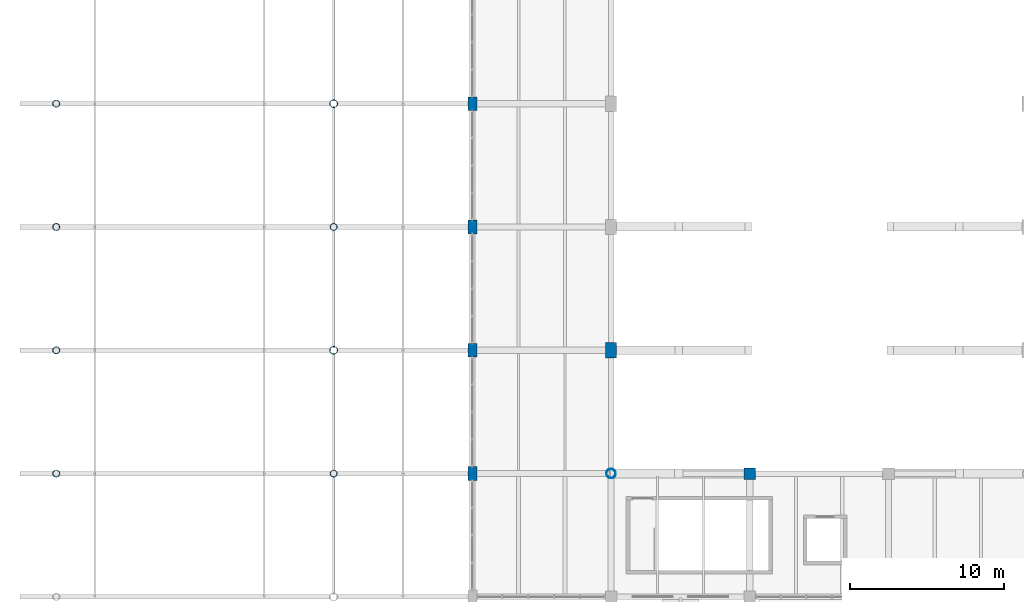
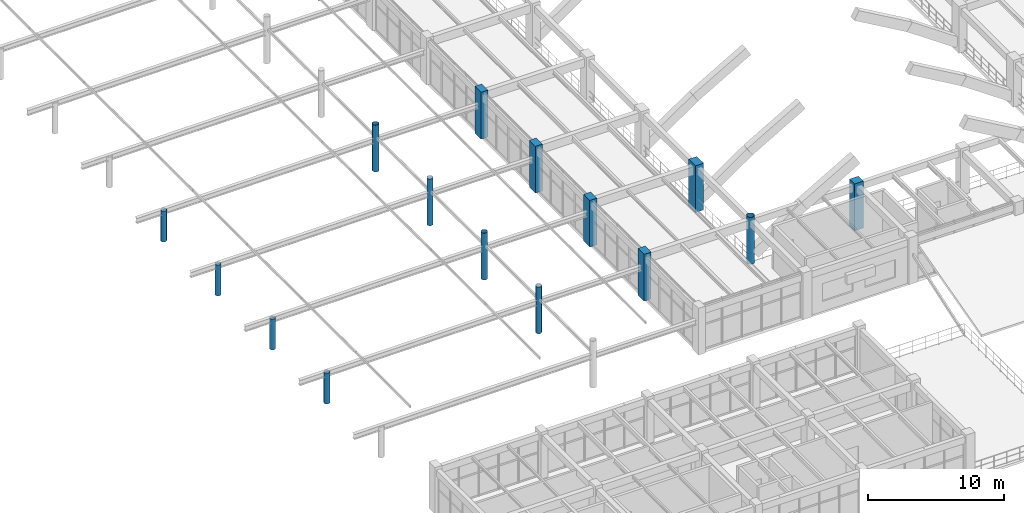
# One storey, part 3 of 148: 15 columns.
"""IFC4 building model written with IfcOpenShell, lengths in metres."""

from ifc_helpers import new_model, si_unit, derived_unit, direction, frame, origin, origin_2d, place, context, subcontext, project, spatial, rectangle, hollow_circle, extrude, material, material_profile, profile_set, type_object, element, save


model = new_model("IFC4")

# Units and contexts
model_context = context("Model", 3, precision=1e-05, world=origin(), true_north=direction((0.0, 1.0)))
body_context = subcontext(model_context, "Body", "Model", "MODEL_VIEW")
ifc_project = project(units=[si_unit("LENGTHUNIT", "METRE"), si_unit("AREAUNIT", "SQUARE_METRE"), si_unit("VOLUMEUNIT", "CUBIC_METRE"), si_unit("PLANEANGLEUNIT", "RADIAN"), si_unit("MASSUNIT", "GRAM", prefix="KILO"), derived_unit("THERMALTRANSMITTANCEUNIT", [(si_unit("MASSUNIT", "GRAM", prefix="KILO"), 1), (si_unit("TIMEUNIT", "SECOND"), -3), (si_unit("THERMODYNAMICTEMPERATUREUNIT", "KELVIN"), -1)])], contexts=[model_context])

# Site, building, storey
site_placement = place(None, origin())
site = spatial("IfcSite", under=ifc_project, at=site_placement, CompositionType="ELEMENT")
building_placement = place(site_placement, origin())
building = spatial("IfcBuilding", under=site, at=building_placement, Name="Zhenchuan Archway Interchange", CompositionType="ELEMENT")
storey_placement = place(building_placement, frame((0.0, 0.0, 10.199951171875)))
storey = spatial("IfcBuildingStorey", under=building, at=storey_placement, Name="L02", CompositionType="ELEMENT", Elevation=10.199951171875)

# Columns
ifc_material_1 = material(Name="Concrete C40", Category="concrete")
ifc_material_profile_1 = material_profile(ifc_material_1, rectangle(XDim=0.60009765625, YDim=0.89990234375, at=origin_2d()), Name="RC 600x900")
ifc_profile_set_1 = profile_set([ifc_material_profile_1], Name="Concrete C40")
column_type_1 = type_object("IfcColumnType", Name="COL_RC_600x900", PredefinedType="COLUMN", material=ifc_profile_set_1)
for number, where, z_axis, x_axis, name in (
    (1, (27.0, 32.0, 0.0), (0.0, 0.0, 1.0), (1.0, 0.0, 0.0), "Column 4/E (L02)"),
    (2, (27.0, 40.0, 0.0), (0.0, 0.0, 1.0), (1.0, 0.0, 0.0), "Column 4/F (L02)"),
    (3, (27.0, 48.0, 0.0), (0.0, 0.0, 1.0), (1.0, 0.0, 0.0), "Column 4/G (L02)"),
    (4, (27.0, 56.0, 0.0), (0.0, 0.0, 1.0), (1.0, 0.0, 0.0), "Column 4/H (L02)"),
):
    element("IfcColumn", number, at=place(storey_placement, frame(where, z_axis=z_axis, x_axis=x_axis)), inside=storey, type_object=column_type_1, Name=name, PredefinedType="COLUMN", context=body_context, shape_type="SweptSolid", body=[
        extrude(rectangle(XDim=0.60009765625, YDim=0.89990234375, at=origin_2d()), origin(), (0.0, 0.0, 1.0), 4.199951171875),
    ])
ifc_material_2 = material(Name="Concrete C50", Category="concrete")
ifc_material_profile_2 = material_profile(ifc_material_2, rectangle(XDim=0.699951171875, YDim=1.0, at=origin_2d()), Name="RC 700x1000")
ifc_profile_set_2 = profile_set([ifc_material_profile_2], Name="Concrete C50")
column_type_2 = type_object("IfcColumnType", Name="COL_RC_700x1000_T", PredefinedType="COLUMN", material=ifc_profile_set_2)
column_1_placement = place(storey_placement, frame((36.0, 40.0, 0.0), z_axis=(0.0, 0.0, 1.0), x_axis=(1.0, 0.0, 0.0)))
element("IfcColumn", 5, at=column_1_placement, inside=storey, type_object=column_type_2, Name="Column 5/F (L02)", PredefinedType="COLUMN", context=body_context, shape_type="SweptSolid", body=[
    extrude(rectangle(XDim=0.699951171875, YDim=1.0, at=origin_2d()), origin(), (0.0, 0.0, 1.0), 4.199951171875),
])
ifc_material_profile_3 = material_profile(ifc_material_1, rectangle(XDim=0.75, YDim=0.75, at=origin_2d()), Name="RC 750x750")
ifc_profile_set_3 = profile_set([ifc_material_profile_3], Name="Concrete C40")
column_type_3 = type_object("IfcColumnType", Name="COL_RC_750", PredefinedType="COLUMN", material=ifc_profile_set_3)
column_2_placement = place(storey_placement, frame((45.0, 32.0, 0.0), z_axis=(0.0, 0.0, 1.0), x_axis=(1.0, 0.0, 0.0)))
element("IfcColumn", 6, at=column_2_placement, inside=storey, type_object=column_type_3, Name="Column 6/E (L02)", PredefinedType="COLUMN", context=body_context, shape_type="SweptSolid", body=[
    extrude(rectangle(XDim=0.75, YDim=0.75, at=origin_2d()), origin(), (0.0, 0.0, 1.0), 4.199951171875),
])
ifc_material_3 = material(Name="Steel Q390", Category="steel")
ifc_material_profile_4 = material_profile(ifc_material_3, hollow_circle(Radius=0.228515625, WallThickness=0.01611328125, at=origin_2d()), Name="CHS 457x16")
ifc_profile_set_4 = profile_set([ifc_material_profile_4], Name="Steel Q390")
column_type_4 = type_object("IfcColumnType", Name="COL_STL_CHS457", PredefinedType="COLUMN", material=ifc_profile_set_4)
for number, where, z_axis, x_axis, name in (
    (7, (0.0, 32.0, 0.0), (0.0, 0.0, 1.0), (1.0, 0.0, 0.0), "Column 1/E (L02)"),
    (8, (0.0, 40.0, 0.0), (0.0, 0.0, 1.0), (1.0, 0.0, 0.0), "Column 1/F (L02)"),
    (9, (0.0, 48.0, 0.0), (0.0, 0.0, 1.0), (1.0, 0.0, 0.0), "Column 1/G (L02)"),
    (10, (0.0, 56.0, 0.0), (0.0, 0.0, 1.0), (1.0, 0.0, 0.0), "Column 1/H (L02)"),
):
    element("IfcColumn", number, at=place(storey_placement, frame(where, z_axis=z_axis, x_axis=x_axis)), inside=storey, type_object=column_type_4, Name=name, PredefinedType="COLUMN", context=body_context, shape_type="SweptSolid", body=[
        extrude(hollow_circle(Radius=0.228515625, WallThickness=0.01611328125, at=origin_2d()), origin(), (0.0, 0.0, 1.0), 2.77001953125),
    ])
for number, where, z_axis, x_axis, name in (
    (11, (18.0, 32.0, 0.0), (0.0, 0.0, 1.0), (1.0, 0.0, 0.0), "Column 3/E (L02)"),
    (12, (18.0, 48.0, 0.0), (0.0, 0.0, 1.0), (1.0, 0.0, 0.0), "Column 3/G (L02)"),
):
    element("IfcColumn", number, at=place(storey_placement, frame(where, z_axis=z_axis, x_axis=x_axis)), inside=storey, type_object=column_type_4, Name=name, PredefinedType="COLUMN", context=body_context, shape_type="SweptSolid", body=[
        extrude(hollow_circle(Radius=0.228515625, WallThickness=0.01611328125, at=origin_2d()), origin(), (0.0, 0.0, 1.0), 4.199951171875),
    ])
ifc_material_profile_5 = material_profile(ifc_material_3, hollow_circle(Radius=0.25390625, WallThickness=0.01611328125, at=origin_2d()), Name="CHS 508x16")
ifc_profile_set_5 = profile_set([ifc_material_profile_5], Name="Steel Q390")
column_type_5 = type_object("IfcColumnType", Name="COL_STL_CHS508", PredefinedType="COLUMN", material=ifc_profile_set_5)
for number, where, z_axis, x_axis, name in (
    (13, (18.0, 40.0, 0.0), (0.0, 0.0, 1.0), (1.0, 0.0, 0.0), "Column 3/F (L02)"),
    (14, (18.0, 56.0, 0.0), (0.0, 0.0, 1.0), (1.0, 0.0, 0.0), "Column 3/H (L02)"),
):
    element("IfcColumn", number, at=place(storey_placement, frame(where, z_axis=z_axis, x_axis=x_axis)), inside=storey, type_object=column_type_5, Name=name, PredefinedType="COLUMN", context=body_context, shape_type="SweptSolid", body=[
        extrude(hollow_circle(Radius=0.25390625, WallThickness=0.01611328125, at=origin_2d()), origin(), (0.0, 0.0, 1.0), 4.199951171875),
    ])
ifc_material_profile_6 = material_profile(ifc_material_3, hollow_circle(Radius=0.304931640625, WallThickness=0.02001953125, at=origin_2d()), Name="CHS 610x20")
ifc_profile_set_6 = profile_set([ifc_material_profile_6], Name="Steel Q390")
column_type_6 = type_object("IfcColumnType", Name="COL_STL_CHS610", PredefinedType="COLUMN", material=ifc_profile_set_6)
column_3_placement = place(storey_placement, frame((36.0, 32.0, 0.0), z_axis=(0.0, 0.0, 1.0), x_axis=(1.0, 0.0, 0.0)))
element("IfcColumn", 15, at=column_3_placement, inside=storey, type_object=column_type_6, Name="Column 5/E (L02)", PredefinedType="COLUMN", context=body_context, shape_type="SweptSolid", body=[
    extrude(hollow_circle(Radius=0.304931640625, WallThickness=0.02001953125, at=origin_2d()), origin(), (0.0, 0.0, 1.0), 4.199951171875),
])

save(model, "model.ifc")
